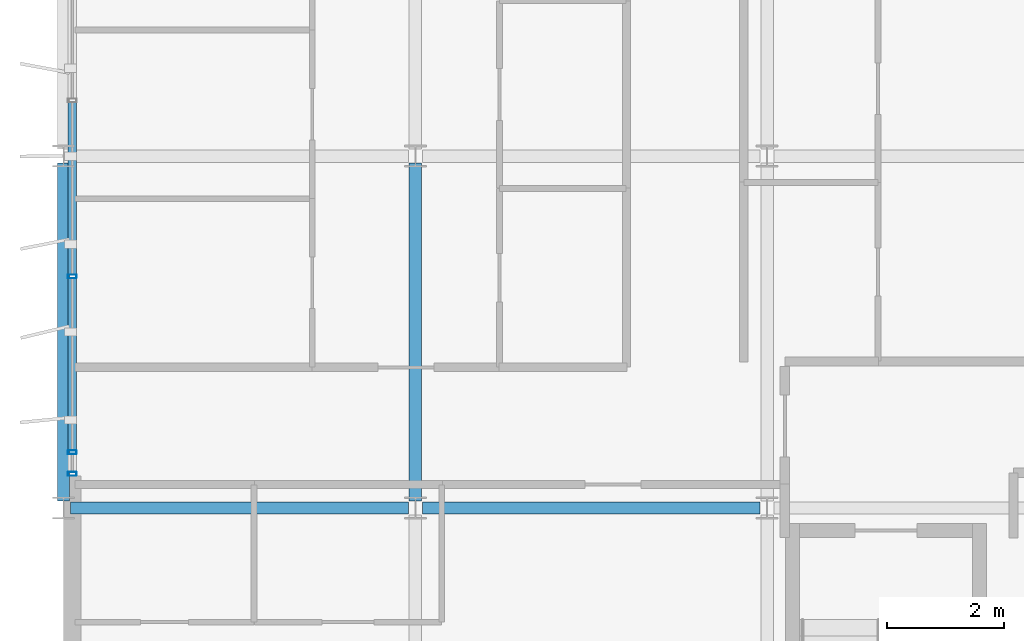
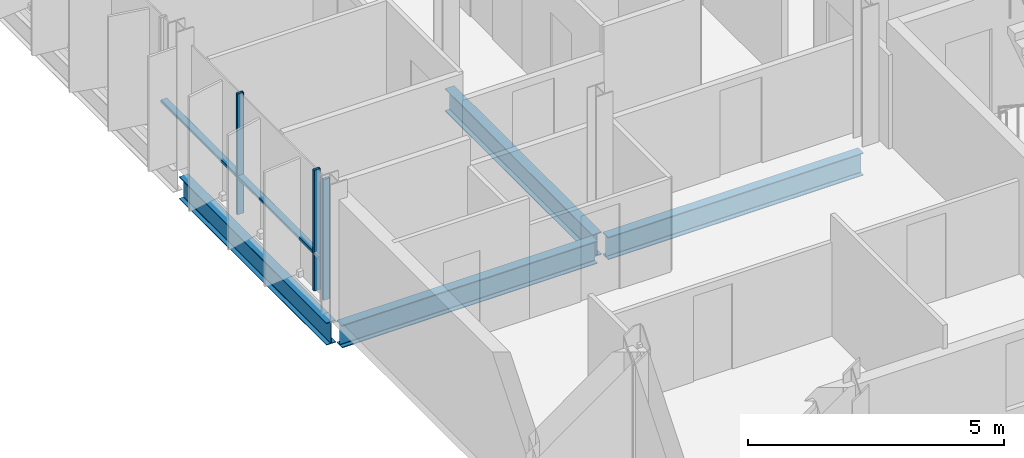
# One storey, part 4 of 30: 5 members, 4 beams, 1 element without a shape of its own.
"""IFC4 building model written with IfcOpenShell, lengths in metres."""

from ifc_helpers import new_model, si_unit, direction, frame, origin, origin_2d, place, context, subcontext, project, spatial, hollow_rectangle, i_section, extrude, material, layer, layer_set, material_profile, profile_set, type_object, element, aggregate, save


model = new_model("IFC4")

# Units and contexts
model_context = context("Model", 3, precision=1e-05, world=origin(), true_north=direction((0.0, 1.0)))
body_context = subcontext(model_context, "Body", "Model", "MODEL_VIEW")
ifc_project = project(units=[si_unit("LENGTHUNIT", "METRE"), si_unit("AREAUNIT", "SQUARE_METRE"), si_unit("VOLUMEUNIT", "CUBIC_METRE"), si_unit("PLANEANGLEUNIT", "RADIAN"), si_unit("MASSUNIT", "GRAM", prefix="KILO")], contexts=[model_context])

# Site, building, storey
site_placement = place(None, origin())
site = spatial("IfcSite", under=ifc_project, at=site_placement, CompositionType="ELEMENT")
building_placement = place(site_placement, origin())
building = spatial("IfcBuilding", under=site, at=building_placement, Name="Brevholm Reach", CompositionType="ELEMENT")
storey_placement = place(building_placement, frame((0.0, 0.0, 211.10009765625)))
storey = spatial("IfcBuildingStorey", under=building, at=storey_placement, Name="L64", CompositionType="ELEMENT", Elevation=211.10009765625)

# Beams
ifc_material_1 = material(Name="Structural Steel S355J2", Category="steel")
ifc_material_profile_1 = material_profile(ifc_material_1, i_section(OverallWidth=0.209228515625, OverallDepth=0.533203125, WebThickness=0.010009765625, FlangeThickness=0.015625, FilletRadius=0.0126953125, at=origin_2d()), Name="UKB 533x210x92")
ifc_profile_set_1 = profile_set([ifc_material_profile_1], Name="Structural Steel S355J2")
beam_type_1 = type_object("IfcBeamType", Name="BM-SP533", PredefinedType="SPANDREL", material=ifc_profile_set_1)
beam_placement = place(storey_placement, frame((0.0, 10.1201171875, -0.4765625), z_axis=(0.0, 1.0, 0.0), x_axis=(-1.0, 0.0, 0.0)))
element("IfcBeam", 1, at=beam_placement, inside=storey, type_object=beam_type_1, Name="L64 SP-02 Framing Beam", PredefinedType="SPANDREL", context=body_context, shape_type="SweptSolid", body=[
    extrude(i_section(OverallWidth=0.209228515625, OverallDepth=0.533203125, WebThickness=0.010009765625, FlangeThickness=0.015625, FilletRadius=0.0126953125, at=origin_2d()), origin(), (0.0, 0.0, 1.0), 5.759765625),
])
ifc_material_2 = material(Name="Structural Steel S355J2", Category="steel")
ifc_material_profile_2 = material_profile(ifc_material_2, i_section(OverallWidth=0.210693359375, OverallDepth=0.53955078125, WebThickness=0.01171875, FlangeThickness=0.018798828125, FilletRadius=0.0126953125, at=origin_2d()), Name="UKB 533x210x109")
ifc_profile_set_2 = profile_set([ifc_material_profile_2], Name="Structural Steel S355J2")
beam_type_2 = type_object("IfcBeamType", Name="BM-SP539", PredefinedType="SPANDREL", material=ifc_profile_set_2)
for number, where, z_axis, x_axis, name in (
    (2, (0.1201171875, 10.0, -0.479736328125), (1.0, 0.0, 0.0), (0.0, 1.0, 0.0), "L64 SP-01B Framing Beam"),
    (3, (6.1201171875, 10.0, -0.479736328125), (1.0, 0.0, 0.0), (0.0, 1.0, 0.0), "L64 SP-01B Framing Beam"),
    (4, (6.0, 10.1201171875, -0.479736328125), (0.0, 1.0, 0.0), (-1.0, 0.0, 0.0), "L64 SP-01B Framing Beam"),
):
    element("IfcBeam", number, at=place(storey_placement, frame(where, z_axis=z_axis, x_axis=x_axis)), inside=storey, type_object=beam_type_2, Name=name, PredefinedType="SPANDREL", context=body_context, shape_type="SweptSolid", body=[
        extrude(i_section(OverallWidth=0.210693359375, OverallDepth=0.53955078125, WebThickness=0.01171875, FlangeThickness=0.018798828125, FilletRadius=0.0126953125, at=origin_2d()), origin(), (0.0, 0.0, 1.0), 5.759765625),
    ])

# Curtain wall, members
ifc_material_3 = material(Name="Dark Anodised Aluminium 6063-T6 and Solar-Control Glass", Category="aluminium")
ifc_layer = layer(ifc_material_3, 0.14990234375)
ifc_layer_set = layer_set([ifc_layer], Name="Dark Anodised Aluminium 6063-T6 and Solar-Control Glass")
curtain_wall_type = type_object("IfcCurtainWallType", Name="CW-01", PredefinedType="NOTDEFINED", material=ifc_layer_set)
curtain_wall_placement = place(storey_placement, origin())
curtain_wall = element("IfcCurtainWall", 5, at=curtain_wall_placement, inside=storey, type_object=curtain_wall_type, Name="L64 Curtain Wall CW-01", PredefinedType="NOTDEFINED")
ifc_material_4 = material(Name="Dark Anodised Aluminium 6063-T6", Category="aluminium")
ifc_material_profile_3 = material_profile(ifc_material_4, hollow_rectangle(XDim=0.06494140625, YDim=0.14990234375, WallThickness=0.0048828125, InnerFilletRadius=0.0048828125, OuterFilletRadius=0.010009765625, at=origin_2d()), Name="RHS 150x65x5")
ifc_profile_set_3 = profile_set([ifc_material_profile_3], Name="Dark Anodised Aluminium 6063-T6")
member_type_1 = type_object("IfcMemberType", Name="CWM-150", PredefinedType="MULLION", material=ifc_profile_set_3)
member_1_placement = place(storey_placement, frame((0.14990234375, 13.949951171875, 0.0), z_axis=(0.0, 0.0, 1.0), x_axis=(0.0, -1.0, 0.0)))
member_1 = element("IfcMember", 6, at=member_1_placement, type_object=member_type_1, Name="CM-150 Mullion 4", PredefinedType="MULLION", context=body_context, shape_type="SweptSolid", body=[
    extrude(hollow_rectangle(XDim=0.06494140625, YDim=0.14990234375, WallThickness=0.0048828125, InnerFilletRadius=0.0048828125, OuterFilletRadius=0.010009765625, at=origin_2d()), origin(), (0.0, 0.0, 1.0), 2.8798828125),
])
member_2_placement = place(storey_placement, frame((0.14990234375, 10.949951171875, 0.0), z_axis=(0.0, 0.0, 1.0), x_axis=(0.0, -1.0, 0.0)))
member_2 = element("IfcMember", 7, at=member_2_placement, type_object=member_type_1, Name="CM-150 Mullion 5", PredefinedType="MULLION", context=body_context, shape_type="SweptSolid", body=[
    extrude(hollow_rectangle(XDim=0.06494140625, YDim=0.14990234375, WallThickness=0.0048828125, InnerFilletRadius=0.0048828125, OuterFilletRadius=0.010009765625, at=origin_2d()), origin(), (0.0, 0.0, 1.0), 2.8798828125),
])
member_3_placement = place(storey_placement, frame((0.14990234375, 10.58251953125, 0.0), z_axis=(0.0, 0.0, 1.0), x_axis=(0.0, -1.0, 0.0)))
member_3 = element("IfcMember", 8, at=member_3_placement, type_object=member_type_1, Name="CM-150 Mullion 6", PredefinedType="MULLION", context=body_context, shape_type="SweptSolid", body=[
    extrude(hollow_rectangle(XDim=0.06494140625, YDim=0.14990234375, WallThickness=0.0048828125, InnerFilletRadius=0.0048828125, OuterFilletRadius=0.010009765625, at=origin_2d()), origin(), (0.0, 0.0, 1.0), 2.8798828125),
])
ifc_material_5 = material(Name="Dark Anodised Aluminium 6063-T6", Category="aluminium")
ifc_material_profile_4 = material_profile(ifc_material_5, hollow_rectangle(XDim=0.06494140625, YDim=0.14990234375, WallThickness=0.0048828125, InnerFilletRadius=0.0048828125, OuterFilletRadius=0.010009765625, at=origin_2d()), Name="RHS 150x65x5")
ifc_profile_set_4 = profile_set([ifc_material_profile_4], Name="Dark Anodised Aluminium 6063-T6")
member_type_2 = type_object("IfcMemberType", Name="CWT-150", PredefinedType="NOTDEFINED", material=ifc_profile_set_4)
member_4_placement = place(storey_placement, frame((0.14990234375, 16.91748046875, 0.89990234375), z_axis=(0.0, -1.0, 0.0), x_axis=(0.0, 0.0, 1.0)))
member_4 = element("IfcMember", 9, at=member_4_placement, type_object=member_type_2, Name="CT-150 Transom 3.1", ObjectType="TRANSOM", PredefinedType="USERDEFINED", context=body_context, shape_type="SweptSolid", body=[
    extrude(hollow_rectangle(XDim=0.06494140625, YDim=0.14990234375, WallThickness=0.0048828125, InnerFilletRadius=0.0048828125, OuterFilletRadius=0.010009765625, at=origin_2d()), origin(), (0.0, 0.0, 1.0), 2.93505859375),
])
member_5_placement = place(storey_placement, frame((0.14990234375, 13.91748046875, 0.89990234375), z_axis=(0.0, -1.0, 0.0), x_axis=(0.0, 0.0, 1.0)))
member_5 = element("IfcMember", 10, at=member_5_placement, type_object=member_type_2, Name="CT-150 Transom 4.1", ObjectType="TRANSOM", PredefinedType="USERDEFINED", context=body_context, shape_type="SweptSolid", body=[
    extrude(hollow_rectangle(XDim=0.06494140625, YDim=0.14990234375, WallThickness=0.0048828125, InnerFilletRadius=0.0048828125, OuterFilletRadius=0.010009765625, at=origin_2d()), origin(), (0.0, 0.0, 1.0), 2.93505859375),
])
aggregate(curtain_wall, [member_1, member_2, member_3, member_4, member_5])

save(model, "model.ifc")
